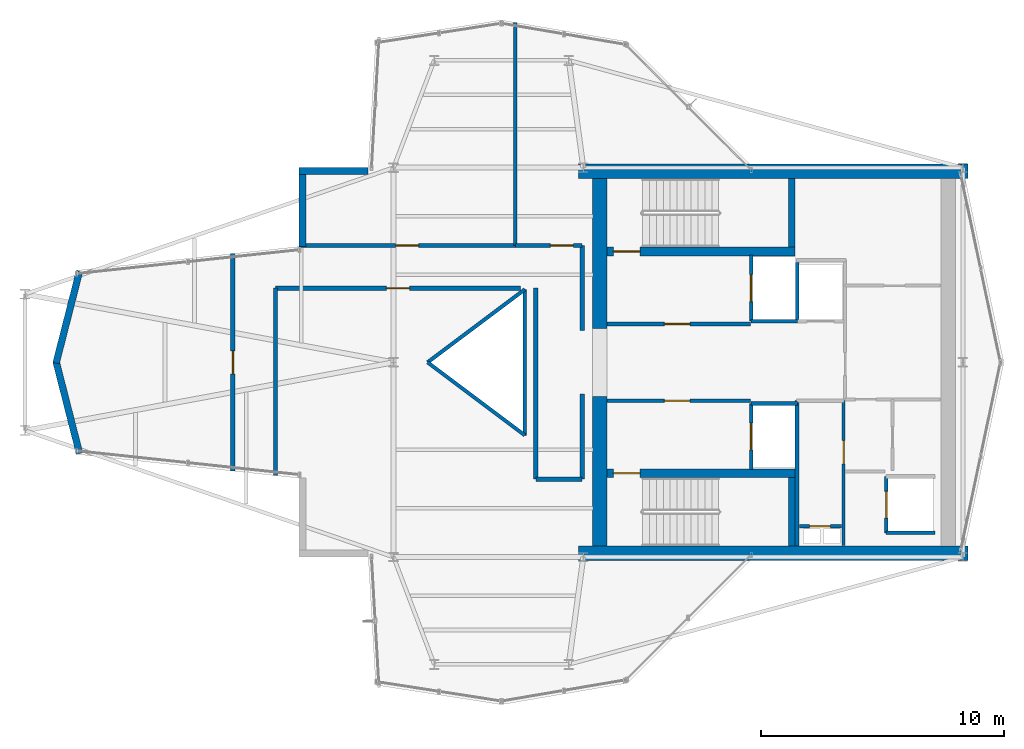
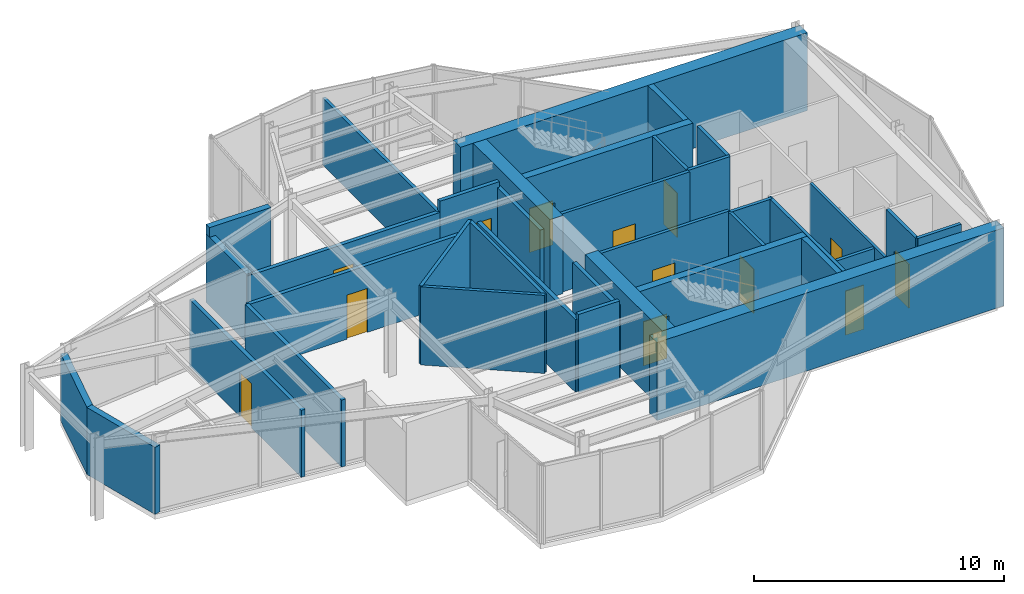
# One storey, part 11 of 13: 37 walls, 13 doors, 13 openings.
"""IFC4 building model written with IfcOpenShell, lengths in metres."""

from ifc_helpers import new_model, si_unit, direction, frame, frame_2d, origin, place, context, subcontext, project, spatial, rectangle, extrude, material, layer, layer_set, type_object, element, fill, save


model = new_model("IFC4")

# Units and contexts
model_context = context("Model", 3, precision=1e-05, world=origin(), true_north=direction((0.0, 1.0)))
body_context = subcontext(model_context, "Body", "Model", "MODEL_VIEW")
ifc_project = project(units=[si_unit("LENGTHUNIT", "METRE"), si_unit("AREAUNIT", "SQUARE_METRE"), si_unit("VOLUMEUNIT", "CUBIC_METRE"), si_unit("PLANEANGLEUNIT", "RADIAN"), si_unit("MASSUNIT", "GRAM", prefix="KILO")], contexts=[model_context])

# Site, building, storey
site_placement = place(None, origin())
site = spatial("IfcSite", under=ifc_project, at=site_placement, CompositionType="ELEMENT")
building_placement = place(site_placement, origin())
building = spatial("IfcBuilding", under=site, at=building_placement, Name="Veymaron Broadcast Tower", CompositionType="ELEMENT")
storey_placement = place(building_placement, frame((0.0, 0.0, 307.35009765625)))
storey = spatial("IfcBuildingStorey", under=building, at=storey_placement, Name="L72", CompositionType="ELEMENT", Elevation=307.35009765625)

# Walls
ifc_material_1 = material(Name="Precast concrete C40/50", Category="concrete")
ifc_layer_1 = layer(ifc_material_1, 0.280029296875)
ifc_layer_set_1 = layer_set([ifc_layer_1], Name="Precast concrete C40/50")
wall_type_1 = type_object("IfcWallType", Name="WALL-EXT-280", PredefinedType="STANDARD", material=ifc_layer_set_1)
wall_1_placement = place(storey_placement, frame((30.159912109375, 31.860107421875, 0.0), z_axis=(0.0, 0.0, 1.0), x_axis=(-1.0, 0.0, 0.0)))
element("IfcWall", 1, at=wall_1_placement, inside=storey, type_object=wall_type_1, Name="L72 notched corner facade pier 9-1", PredefinedType="STANDARD", context=body_context, shape_type="SweptSolid", body=[
    extrude(rectangle(XDim=2.84619140625, YDim=0.280029296875, at=frame_2d((1.423095703125, 0.0))), origin(), (0.0, 0.0, 1.0), 3.809814453125),
])
wall_2_placement = place(storey_placement, frame((27.45361328125, 32.0, 0.0), z_axis=(0.0, 0.0, 1.0), x_axis=(0.0, -1.0, 0.0)))
element("IfcWall", 2, at=wall_2_placement, inside=storey, type_object=wall_type_1, Name="L72 notched corner facade pier 10-1", PredefinedType="STANDARD", context=body_context, shape_type="SweptSolid", body=[
    extrude(rectangle(XDim=3.239990234375, YDim=0.280029296875, at=frame_2d((1.6201171875, 0.0))), origin(), (0.0, 0.0, 1.0), 3.3388671875),
])
for number, where, z_axis, x_axis, name in (
    (3, (18.295654296875, 27.74560546875, 0.0), (0.0, 0.0, 1.0), (-0.247303248327, -0.968938131857, 0.0), "L72 notched corner facade pier 12-1"),
    (4, (17.330810546875, 24.03466796875, 0.0), (0.0, 0.0, 1.0), (0.247303248327, -0.968938131857, 0.0), "L72 notched corner facade pier 13-1"),
):
    element("IfcWall", number, at=place(storey_placement, frame(where, z_axis=z_axis, x_axis=x_axis)), inside=storey, type_object=wall_type_1, Name=name, PredefinedType="STANDARD", context=body_context, shape_type="SweptSolid", body=[
        extrude(rectangle(XDim=3.9013671875, YDim=0.280029296875, at=frame_2d((1.95068359375, 0.0))), origin(), (0.0, 0.0, 1.0), 3.27001953125),
    ])

# Wall, opening, door
ifc_material_2 = material(Name="Gypsum fireboard and steel stud framing", Category="steel")
ifc_layer_2 = layer(ifc_material_2, 0.14990234375)
ifc_layer_set_2 = layer_set([ifc_layer_2], Name="Gypsum fireboard and steel stud framing")
wall_type_2 = type_object("IfcWallType", Name="WALL-FIRE-150", PredefinedType="PARTITIONING", material=ifc_layer_set_2)
wall_3_placement = place(storey_placement, frame((39.97998046875, 25.574951171875, 0.0), z_axis=(0.0, 0.0, 1.0), x_axis=(1.0, 0.0, 0.0)))
wall_3 = element("IfcWall", 5, at=wall_3_placement, inside=storey, type_object=wall_type_2, Name="L72 partition IW-L72-FFLN-S", PredefinedType="PARTITIONING", context=body_context, shape_type="SweptSolid", body=[
    extrude(rectangle(XDim=5.89990234375, YDim=0.14990234375, at=frame_2d((2.949951171875, 0.0))), origin(), (0.0, 0.0, 1.0), 3.809814453125),
])
opening_1_placement = place(wall_3_placement, frame((2.35009765625, 0.0, 0.0)))
opening_1 = element("IfcOpeningElement", 6, at=opening_1_placement, cuts=wall_3, Name="Opening ID-FL1", PredefinedType="OPENING", context=body_context, shape_type="SweptSolid", body=[
    extrude(rectangle(XDim=1.050048828125, YDim=2.14990234375, at=frame_2d((0.52490234375, 1.074951171875))), frame((0.0, 0.0849609375, 0.0), z_axis=(0.0, -1.0, 0.0), x_axis=(1.0, 0.0, 0.0)), (0.0, 0.0, 1.0), 0.169921875),
])
ifc_material_3 = material(Name="Fire-rated painted hollow steel ASTM A653", Category="steel")
door_type_1 = type_object("IfcDoorType", Name="DOOR-FIRE-1050", OperationType="NOTDEFINED", PredefinedType="DOOR", material=ifc_material_3)
door_1_placement = place(opening_1_placement, origin())
door_1 = element("IfcDoor", 7, at=door_1_placement, inside=storey, type_object=door_type_1, Name="L72 door DR-L72-FFLN", OperationType="SINGLE_SWING_LEFT", OverallHeight=2.14990234375, OverallWidth=1.050048828125, PredefinedType="DOOR", context=body_context, shape_type="SweptSolid", body=[
    extrude(rectangle(XDim=1.050048828125, YDim=2.14990234375, at=frame_2d((0.52490234375, 1.074951171875))), frame((0.0, 0.02490234375, 0.0), z_axis=(0.0, -1.0, 0.0), x_axis=(1.0, 0.0, 0.0)), (0.0, 0.0, 1.0), 0.050048828125),
])
fill(opening_1, door_1)

wall_4_placement = place(storey_placement, frame((39.97998046875, 22.425048828125, 0.0), z_axis=(0.0, 0.0, 1.0), x_axis=(1.0, 0.0, 0.0)))
wall_4 = element("IfcWall", 8, at=wall_4_placement, inside=storey, type_object=wall_type_2, Name="L72 partition IW-L72-FFLS-N", PredefinedType="PARTITIONING", context=body_context, shape_type="SweptSolid", body=[
    extrude(rectangle(XDim=5.89990234375, YDim=0.14990234375, at=frame_2d((2.949951171875, 0.0))), origin(), (0.0, 0.0, 1.0), 3.809814453125),
])
opening_2_placement = place(wall_4_placement, frame((2.35009765625, 0.0, 0.0)))
opening_2 = element("IfcOpeningElement", 9, at=opening_2_placement, cuts=wall_4, Name="Opening ID-FL1", PredefinedType="OPENING", context=body_context, shape_type="SweptSolid", body=[
    extrude(rectangle(XDim=1.050048828125, YDim=2.14990234375, at=frame_2d((0.52490234375, 1.074951171875))), frame((0.0, 0.0849609375, 0.0), z_axis=(0.0, -1.0, 0.0), x_axis=(1.0, 0.0, 0.0)), (0.0, 0.0, 1.0), 0.169921875),
])
door_2_placement = place(opening_2_placement, frame((1.050048828125, 0.0, 0.0), z_axis=(0.0, 0.0, 1.0), x_axis=(-1.0, 0.0, 0.0)))
door_2 = element("IfcDoor", 10, at=door_2_placement, inside=storey, type_object=door_type_1, Name="L72 door DR-L72-FFLS", OperationType="SINGLE_SWING_RIGHT", OverallHeight=2.14990234375, OverallWidth=1.050048828125, PredefinedType="DOOR", context=body_context, shape_type="SweptSolid", body=[
    extrude(rectangle(XDim=1.050048828125, YDim=2.14990234375, at=frame_2d((0.52490234375, 1.074951171875))), frame((0.0, 0.02490234375, 0.0), z_axis=(0.0, -1.0, 0.0), x_axis=(1.0, 0.0, 0.0)), (0.0, 0.0, 1.0), 0.050048828125),
])
fill(opening_2, door_2)

wall_5_placement = place(storey_placement, frame((45.89501953125, 25.68994140625, 0.0), z_axis=(0.0, 0.0, 1.0), x_axis=(0.0, 1.0, 0.0)))
wall_5 = element("IfcWall", 11, at=wall_5_placement, inside=storey, type_object=wall_type_2, Name="L72 partition IW-L72-SHW-FFL-1", PredefinedType="PARTITIONING", context=body_context, shape_type="SweptSolid", body=[
    extrude(rectangle(XDim=2.719970703125, YDim=0.14990234375, at=frame_2d((1.35986328125, 0.0))), origin(), (0.0, 0.0, 1.0), 3.809814453125),
])
opening_3_placement = place(wall_5_placement, frame((0.81005859375, 0.0, 0.0)))
opening_3 = element("IfcOpeningElement", 12, at=opening_3_placement, cuts=wall_5, Name="Opening LD", PredefinedType="OPENING", context=body_context, shape_type="SweptSolid", body=[
    extrude(rectangle(XDim=1.10009765625, YDim=2.14990234375, at=frame_2d((0.550048828125, 1.074951171875))), frame((0.0, 0.0849609375, 0.0), z_axis=(0.0, -1.0, 0.0), x_axis=(1.0, 0.0, 0.0)), (0.0, 0.0, 1.0), 0.169921875),
])
ifc_material_4 = material(Name="Brushed stainless steel AISI 304", Category="steel")
door_type_2 = type_object("IfcDoorType", Name="DOOR-LIFT-1100", OperationType="DOUBLE_DOOR_SLIDING", PredefinedType="DOOR", material=ifc_material_4)
door_3_placement = place(opening_3_placement, frame((1.10009765625, 0.0, 0.0), z_axis=(0.0, 0.0, 1.0), x_axis=(-1.0, 0.0, 0.0)))
door_3 = element("IfcDoor", 13, at=door_3_placement, inside=storey, type_object=door_type_2, Name="L72 door LD-L72-FFL-1", OperationType="DOUBLE_DOOR_SLIDING", OverallHeight=2.14990234375, OverallWidth=1.10009765625, PredefinedType="DOOR", context=body_context, shape_type="SweptSolid", body=[
    extrude(rectangle(XDim=1.10009765625, YDim=2.14990234375, at=frame_2d((0.550048828125, 1.074951171875))), frame((0.0, 0.02490234375, 0.0), z_axis=(0.0, -1.0, 0.0), x_axis=(1.0, 0.0, 0.0)), (0.0, 0.0, 1.0), 0.050048828125),
])
fill(opening_3, door_3)

# Wall
wall_6_placement = place(storey_placement, frame((45.89501953125, 25.68994140625, 0.0), z_axis=(0.0, 0.0, 1.0), x_axis=(1.0, 0.0, 0.0)))
element("IfcWall", 14, at=wall_6_placement, inside=storey, type_object=wall_type_2, Name="L72 partition IW-L72-SHS-FFL-1", PredefinedType="PARTITIONING", context=body_context, shape_type="SweptSolid", body=[
    extrude(rectangle(XDim=1.9150390625, YDim=0.14990234375, at=frame_2d((0.95751953125, 0.0))), origin(), (0.0, 0.0, 1.0), 3.809814453125),
])

# Wall, opening, door
wall_7_placement = place(storey_placement, frame((45.89501953125, 19.590087890625, 0.0), z_axis=(0.0, 0.0, 1.0), x_axis=(0.0, 1.0, 0.0)))
wall_7 = element("IfcWall", 15, at=wall_7_placement, inside=storey, type_object=wall_type_2, Name="L72 partition IW-L72-SHW-FFL-2", PredefinedType="PARTITIONING", context=body_context, shape_type="SweptSolid", body=[
    extrude(rectangle(XDim=2.719970703125, YDim=0.14990234375, at=frame_2d((1.35986328125, 0.0))), origin(), (0.0, 0.0, 1.0), 3.809814453125),
])
opening_4_placement = place(wall_7_placement, frame((0.81005859375, 0.0, 0.0)))
opening_4 = element("IfcOpeningElement", 16, at=opening_4_placement, cuts=wall_7, Name="Opening LD", PredefinedType="OPENING", context=body_context, shape_type="SweptSolid", body=[
    extrude(rectangle(XDim=1.10009765625, YDim=2.14990234375, at=frame_2d((0.550048828125, 1.074951171875))), frame((0.0, 0.0849609375, 0.0), z_axis=(0.0, -1.0, 0.0), x_axis=(1.0, 0.0, 0.0)), (0.0, 0.0, 1.0), 0.169921875),
])
door_4_placement = place(opening_4_placement, frame((1.10009765625, 0.0, 0.0), z_axis=(0.0, 0.0, 1.0), x_axis=(-1.0, 0.0, 0.0)))
door_4 = element("IfcDoor", 17, at=door_4_placement, inside=storey, type_object=door_type_2, Name="L72 door LD-L72-FFL-2", OperationType="DOUBLE_DOOR_SLIDING", OverallHeight=2.14990234375, OverallWidth=1.10009765625, PredefinedType="DOOR", context=body_context, shape_type="SweptSolid", body=[
    extrude(rectangle(XDim=1.10009765625, YDim=2.14990234375, at=frame_2d((0.550048828125, 1.074951171875))), frame((0.0, 0.02490234375, 0.0), z_axis=(0.0, -1.0, 0.0), x_axis=(1.0, 0.0, 0.0)), (0.0, 0.0, 1.0), 0.050048828125),
])
fill(opening_4, door_4)

# Walls
wall_8_placement = place(storey_placement, frame((45.89501953125, 22.31005859375, 0.0), z_axis=(0.0, 0.0, 1.0), x_axis=(1.0, 0.0, 0.0)))
element("IfcWall", 18, at=wall_8_placement, inside=storey, type_object=wall_type_2, Name="L72 partition IW-L72-SHN-FFL-2", PredefinedType="PARTITIONING", context=body_context, shape_type="SweptSolid", body=[
    extrude(rectangle(XDim=1.9150390625, YDim=0.14990234375, at=frame_2d((0.95751953125, 0.0))), origin(), (0.0, 0.0, 1.0), 3.809814453125),
])
wall_9_placement = place(storey_placement, frame((47.7900390625, 25.695068359375, 0.0), z_axis=(0.0, 0.0, 1.0), x_axis=(0.0, 1.0, 0.0)))
element("IfcWall", 19, at=wall_9_placement, inside=storey, type_object=wall_type_2, Name="L72 partition IW-L72-SHW-SL-1", PredefinedType="PARTITIONING", context=body_context, shape_type="SweptSolid", body=[
    extrude(rectangle(XDim=2.4150390625, YDim=0.14990234375, at=frame_2d((1.20751953125, 0.0))), origin(), (0.0, 0.0, 1.0), 3.809814453125),
])

# Wall, opening, door
wall_10_placement = place(storey_placement, frame((51.445068359375, 16.989990234375, 0.0), z_axis=(0.0, 0.0, 1.0), x_axis=(0.0, 1.0, 0.0)))
wall_10 = element("IfcWall", 20, at=wall_10_placement, inside=storey, type_object=wall_type_2, Name="L72 partition IW-L72-SHW-PH1", PredefinedType="PARTITIONING", context=body_context, shape_type="SweptSolid", body=[
    extrude(rectangle(XDim=2.320068359375, YDim=0.14990234375, at=frame_2d((1.16015625, 0.0))), origin(), (0.0, 0.0, 1.0), 3.809814453125),
])
opening_5_placement = place(wall_10_placement, frame((0.610107421875, 0.0, 0.0)))
opening_5 = element("IfcOpeningElement", 21, at=opening_5_placement, cuts=wall_10, Name="Opening LD", PredefinedType="OPENING", context=body_context, shape_type="SweptSolid", body=[
    extrude(rectangle(XDim=1.10009765625, YDim=2.14990234375, at=frame_2d((0.550048828125, 1.074951171875))), frame((0.0, 0.0849609375, 0.0), z_axis=(0.0, -1.0, 0.0), x_axis=(1.0, 0.0, 0.0)), (0.0, 0.0, 1.0), 0.169921875),
])
door_5_placement = place(opening_5_placement, frame((1.10009765625, 0.0, 0.0), z_axis=(0.0, 0.0, 1.0), x_axis=(-1.0, 0.0, 0.0)))
door_5 = element("IfcDoor", 22, at=door_5_placement, inside=storey, type_object=door_type_2, Name="L72 door LD-L72-PH1", OperationType="DOUBLE_DOOR_SLIDING", OverallHeight=2.14990234375, OverallWidth=1.10009765625, PredefinedType="DOOR", context=body_context, shape_type="SweptSolid", body=[
    extrude(rectangle(XDim=1.10009765625, YDim=2.14990234375, at=frame_2d((0.550048828125, 1.074951171875))), frame((0.0, 0.02490234375, 0.0), z_axis=(0.0, -1.0, 0.0), x_axis=(1.0, 0.0, 0.0)), (0.0, 0.0, 1.0), 0.050048828125),
])
fill(opening_5, door_5)

# Wall
wall_11_placement = place(storey_placement, frame((51.445068359375, 16.989990234375, 0.0), z_axis=(0.0, 0.0, 1.0), x_axis=(1.0, 0.0, 0.0)))
element("IfcWall", 23, at=wall_11_placement, inside=storey, type_object=wall_type_2, Name="L72 partition IW-L72-SHS-PH1", PredefinedType="PARTITIONING", context=body_context, shape_type="SweptSolid", body=[
    extrude(rectangle(XDim=2.014892578125, YDim=0.14990234375, at=frame_2d((1.00732421875, 0.0))), origin(), (0.0, 0.0, 1.0), 3.809814453125),
])

# Wall, opening, door
wall_12_placement = place(storey_placement, frame((47.8798828125, 17.260009765625, 0.0), z_axis=(0.0, 0.0, 1.0), x_axis=(1.0, 0.0, 0.0)))
wall_12 = element("IfcWall", 24, at=wall_12_placement, inside=storey, type_object=wall_type_2, Name="L72 partition IW-L72-RIS-N", PredefinedType="PARTITIONING", context=body_context, shape_type="SweptSolid", body=[
    extrude(rectangle(XDim=1.72021484375, YDim=0.14990234375, at=frame_2d((0.860107421875, 0.0))), origin(), (0.0, 0.0, 1.0), 3.809814453125),
])
opening_6_placement = place(wall_12_placement, frame((0.419921875, 0.0, 0.0)))
opening_6 = element("IfcOpeningElement", 25, at=opening_6_placement, cuts=wall_12, Name="Opening ID-RS1", PredefinedType="OPENING", context=body_context, shape_type="SweptSolid", body=[
    extrude(rectangle(XDim=0.85009765625, YDim=2.14990234375, at=frame_2d((0.425048828125, 1.074951171875))), frame((0.0, 0.0849609375, 0.0), z_axis=(0.0, -1.0, 0.0), x_axis=(1.0, 0.0, 0.0)), (0.0, 0.0, 1.0), 0.169921875),
])
ifc_material_5 = material(Name="Fire-rated powder-coated steel riser leaf", Category="steel")
door_type_3 = type_object("IfcDoorType", Name="DOOR-RIS-850", OperationType="NOTDEFINED", PredefinedType="TRAPDOOR", material=ifc_material_5)
door_6_placement = place(opening_6_placement, origin())
door_6 = element("IfcDoor", 26, at=door_6_placement, inside=storey, type_object=door_type_3, Name="L72 door DR-L72-RIS", OperationType="SINGLE_SWING_LEFT", OverallHeight=2.14990234375, OverallWidth=0.85009765625, PredefinedType="TRAPDOOR", context=body_context, shape_type="SweptSolid", body=[
    extrude(rectangle(XDim=0.85009765625, YDim=2.14990234375, at=frame_2d((0.425048828125, 1.074951171875))), frame((0.0, 0.02490234375, 0.0), z_axis=(0.0, -1.0, 0.0), x_axis=(1.0, 0.0, 0.0)), (0.0, 0.0, 1.0), 0.050048828125),
])
fill(opening_6, door_6)

# Wall
wall_13_placement = place(storey_placement, frame((47.780029296875, 16.449951171875, 0.0), z_axis=(0.0, 0.0, 1.0), x_axis=(0.0, 1.0, 0.0)))
element("IfcWall", 27, at=wall_13_placement, inside=storey, type_object=wall_type_2, Name="L72 partition IW-L72-SM-W", PredefinedType="PARTITIONING", context=body_context, shape_type="SweptSolid", body=[
    extrude(rectangle(XDim=5.97509765625, YDim=0.14990234375, at=frame_2d((2.987548828125, 0.0))), origin(), (0.0, 0.0, 1.0), 3.809814453125),
])

# Wall, opening, door
ifc_material_6 = material(Name="Concrete C40/50", Category="concrete")
ifc_layer_3 = layer(ifc_material_6, 0.179931640625)
ifc_layer_set_3 = layer_set([ifc_layer_3], Name="Concrete C40/50")
wall_type_3 = type_object("IfcWallType", Name="WALL-FIRE-180", PredefinedType="SOLIDWALL", material=ifc_layer_set_3)
wall_14_placement = place(storey_placement, frame((26.35009765625, 27.050048828125, 0.0), z_axis=(0.0, 0.0, 1.0), x_axis=(1.0, 0.0, 0.0)))
wall_14 = element("IfcWall", 28, at=wall_14_placement, inside=storey, type_object=wall_type_3, Name="L72 partition IW-L72-P01", PredefinedType="SOLIDWALL", context=body_context, shape_type="SweptSolid", body=[
    extrude(rectangle(XDim=10.066650390625, YDim=0.179931640625, at=frame_2d((5.033203125, 0.0))), origin(), (0.0, 0.0, 1.0), 3.27001953125),
])
opening_7_placement = place(wall_14_placement, frame((4.558349609375, 0.0, 0.0)))
opening_7 = element("IfcOpeningElement", 29, at=opening_7_placement, cuts=wall_14, Name="Opening ID-RM1", PredefinedType="OPENING", context=body_context, shape_type="SweptSolid", body=[
    extrude(rectangle(XDim=0.949951171875, YDim=2.14990234375, at=frame_2d((0.47509765625, 1.074951171875))), frame((0.0, 0.10009765625, 0.0), z_axis=(0.0, -1.0, 0.0), x_axis=(1.0, 0.0, 0.0)), (0.0, 0.0, 1.0), 0.199951171875),
])
ifc_material_7 = material(Name="Acoustic solid-core European oak veneer timber", Category="wood")
door_type_4 = type_object("IfcDoorType", Name="DOOR-INT-950", OperationType="NOTDEFINED", PredefinedType="DOOR", material=ifc_material_7)
door_7_placement = place(opening_7_placement, frame((0.949951171875, 0.0, 0.0), z_axis=(0.0, 0.0, 1.0), x_axis=(-1.0, 0.0, 0.0)))
door_7 = element("IfcDoor", 30, at=door_7_placement, inside=storey, type_object=door_type_4, Name="L72 door DR-L72-P01", OperationType="SINGLE_SWING_RIGHT", OverallHeight=2.14990234375, OverallWidth=0.949951171875, PredefinedType="DOOR", context=body_context, shape_type="SweptSolid", body=[
    extrude(rectangle(XDim=0.949951171875, YDim=2.14990234375, at=frame_2d((0.47509765625, 1.074951171875))), frame((0.0, 0.02490234375, 0.0), z_axis=(0.0, -1.0, 0.0), x_axis=(1.0, 0.0, 0.0)), (0.0, 0.0, 1.0), 0.050048828125),
])
fill(opening_7, door_7)

wall_15_placement = place(storey_placement, frame((24.60009765625, 19.530517578125, 0.0), z_axis=(0.0, 0.0, 1.0), x_axis=(0.0, 1.0, 0.0)))
wall_15 = element("IfcWall", 31, at=wall_15_placement, inside=storey, type_object=wall_type_3, Name="L72 partition IW-L72-P06", PredefinedType="SOLIDWALL", context=body_context, shape_type="SweptSolid", body=[
    extrude(rectangle(XDim=8.93896484375, YDim=0.179931640625, at=frame_2d((4.469482421875, 0.0))), origin(), (0.0, 0.0, 1.0), 3.27001953125),
])
opening_8_placement = place(wall_15_placement, frame((3.994384765625, 0.0, 0.0)))
opening_8 = element("IfcOpeningElement", 32, at=opening_8_placement, cuts=wall_15, Name="Opening ID-RM1", PredefinedType="OPENING", context=body_context, shape_type="SweptSolid", body=[
    extrude(rectangle(XDim=0.949951171875, YDim=2.14990234375, at=frame_2d((0.47509765625, 1.074951171875))), frame((0.0, 0.10009765625, 0.0), z_axis=(0.0, -1.0, 0.0), x_axis=(1.0, 0.0, 0.0)), (0.0, 0.0, 1.0), 0.199951171875),
])
door_8_placement = place(opening_8_placement, origin())
door_8 = element("IfcDoor", 33, at=door_8_placement, inside=storey, type_object=door_type_4, Name="L72 door DR-L72-P06", OperationType="SINGLE_SWING_LEFT", OverallHeight=2.14990234375, OverallWidth=0.949951171875, PredefinedType="DOOR", context=body_context, shape_type="SweptSolid", body=[
    extrude(rectangle(XDim=0.949951171875, YDim=2.14990234375, at=frame_2d((0.47509765625, 1.074951171875))), frame((0.0, 0.02490234375, 0.0), z_axis=(0.0, -1.0, 0.0), x_axis=(1.0, 0.0, 0.0)), (0.0, 0.0, 1.0), 0.050048828125),
])
fill(opening_8, door_8)

wall_16_placement = place(storey_placement, frame((27.313720703125, 28.800048828125, 0.0), z_axis=(0.0, 0.0, 1.0), x_axis=(1.0, 0.0, 0.0)))
wall_16 = element("IfcWall", 34, at=wall_16_placement, inside=storey, type_object=wall_type_3, Name="L72 partition IW-L72-P07", PredefinedType="SOLIDWALL", context=body_context, shape_type="SweptSolid", body=[
    extrude(rectangle(XDim=8.892333984375, YDim=0.179931640625, at=frame_2d((4.4462890625, 0.0))), origin(), (0.0, 0.0, 1.0), 3.27001953125),
])
opening_9_placement = place(wall_16_placement, frame((3.97119140625, 0.0, 0.0)))
opening_9 = element("IfcOpeningElement", 35, at=opening_9_placement, cuts=wall_16, Name="Opening ID-RM1", PredefinedType="OPENING", context=body_context, shape_type="SweptSolid", body=[
    extrude(rectangle(XDim=0.949951171875, YDim=2.14990234375, at=frame_2d((0.47509765625, 1.074951171875))), frame((0.0, 0.10009765625, 0.0), z_axis=(0.0, -1.0, 0.0), x_axis=(1.0, 0.0, 0.0)), (0.0, 0.0, 1.0), 0.199951171875),
])
door_9_placement = place(opening_9_placement, origin())
door_9 = element("IfcDoor", 36, at=door_9_placement, inside=storey, type_object=door_type_4, Name="L72 door DR-L72-P07", OperationType="SINGLE_SWING_RIGHT", OverallHeight=2.14990234375, OverallWidth=0.949951171875, PredefinedType="DOOR", context=body_context, shape_type="SweptSolid", body=[
    extrude(rectangle(XDim=0.949951171875, YDim=2.14990234375, at=frame_2d((0.47509765625, 1.074951171875))), frame((0.0, 0.02490234375, 0.0), z_axis=(0.0, -1.0, 0.0), x_axis=(1.0, 0.0, 0.0)), (0.0, 0.0, 1.0), 0.050048828125),
])
fill(opening_9, door_9)

wall_17_placement = place(storey_placement, frame((36.2060546875, 28.800048828125, 0.0), z_axis=(0.0, 0.0, 1.0), x_axis=(1.0, 0.0, 0.0)))
wall_17 = element("IfcWall", 37, at=wall_17_placement, inside=storey, type_object=wall_type_3, Name="L72 partition IW-L72-P09", PredefinedType="SOLIDWALL", context=body_context, shape_type="SweptSolid", body=[
    extrude(rectangle(XDim=2.743896484375, YDim=0.179931640625, at=frame_2d((1.3720703125, 0.0))), origin(), (0.0, 0.0, 1.0), 3.809814453125),
])
opening_10_placement = place(wall_17_placement, frame((1.43701171875, 0.0, 0.0)))
opening_10 = element("IfcOpeningElement", 38, at=opening_10_placement, cuts=wall_17, Name="Opening ID-RM1", PredefinedType="OPENING", context=body_context, shape_type="SweptSolid", body=[
    extrude(rectangle(XDim=0.949951171875, YDim=2.14990234375, at=frame_2d((0.47509765625, 1.074951171875))), frame((0.0, 0.10009765625, 0.0), z_axis=(0.0, -1.0, 0.0), x_axis=(1.0, 0.0, 0.0)), (0.0, 0.0, 1.0), 0.199951171875),
])
door_10_placement = place(opening_10_placement, origin())
door_10 = element("IfcDoor", 39, at=door_10_placement, inside=storey, type_object=door_type_4, Name="L72 door DR-L72-P09", OperationType="SINGLE_SWING_RIGHT", OverallHeight=2.14990234375, OverallWidth=0.949951171875, PredefinedType="DOOR", context=body_context, shape_type="SweptSolid", body=[
    extrude(rectangle(XDim=0.949951171875, YDim=2.14990234375, at=frame_2d((0.47509765625, 1.074951171875))), frame((0.0, 0.02490234375, 0.0), z_axis=(0.0, -1.0, 0.0), x_axis=(1.0, 0.0, 0.0)), (0.0, 0.0, 1.0), 0.050048828125),
])
fill(opening_10, door_10)

# Walls
wall_18_placement = place(storey_placement, frame((37.050048828125, 19.199951171875, 0.0), z_axis=(0.0, 0.0, 1.0), x_axis=(0.0, 1.0, 0.0)))
element("IfcWall", 40, at=wall_18_placement, inside=storey, type_object=wall_type_3, Name="L72 partition IW-L72-P02", PredefinedType="SOLIDWALL", context=body_context, shape_type="SweptSolid", body=[
    extrude(rectangle(XDim=7.85009765625, YDim=0.179931640625, at=frame_2d((3.925048828125, 0.0))), origin(), (0.0, 0.0, 1.0), 3.539794921875),
])
wall_19_placement = place(storey_placement, frame((26.35009765625, 19.34326171875, 0.0), z_axis=(0.0, 0.0, 1.0), x_axis=(0.0, 1.0, 0.0)))
element("IfcWall", 41, at=wall_19_placement, inside=storey, type_object=wall_type_3, Name="L72 partition IW-L72-P03", PredefinedType="SOLIDWALL", context=body_context, shape_type="SweptSolid", body=[
    extrude(rectangle(XDim=7.706787109375, YDim=0.179931640625, at=frame_2d((3.853515625, 0.0))), origin(), (0.0, 0.0, 1.0), 3.27001953125),
])
wall_20_placement = place(storey_placement, frame((38.949951171875, 19.199951171875, 0.0), z_axis=(0.0, 0.0, 1.0), x_axis=(0.0, 1.0, 0.0)))
element("IfcWall", 42, at=wall_20_placement, inside=storey, type_object=wall_type_3, Name="L72 partition IW-L72-P04", PredefinedType="SOLIDWALL", context=body_context, shape_type="SweptSolid", body=[
    extrude(rectangle(XDim=3.5, YDim=0.179931640625, at=frame_2d((1.75, 0.0))), origin(), (0.0, 0.0, 1.0), 3.539794921875),
])
wall_21_placement = place(storey_placement, frame((37.050048828125, 19.199951171875, 0.0), z_axis=(0.0, 0.0, 1.0), x_axis=(1.0, 0.0, 0.0)))
element("IfcWall", 43, at=wall_21_placement, inside=storey, type_object=wall_type_3, Name="L72 partition IW-L72-P05", PredefinedType="SOLIDWALL", context=body_context, shape_type="SweptSolid", body=[
    extrude(rectangle(XDim=1.89990234375, YDim=0.179931640625, at=frame_2d((0.949951171875, 0.0))), origin(), (0.0, 0.0, 1.0), 3.809814453125),
])
wall_22_placement = place(storey_placement, frame((38.949951171875, 25.300048828125, 0.0), z_axis=(0.0, 0.0, 1.0), x_axis=(0.0, 1.0, 0.0)))
element("IfcWall", 44, at=wall_22_placement, inside=storey, type_object=wall_type_3, Name="L72 partition IW-L72-P08", PredefinedType="SOLIDWALL", context=body_context, shape_type="SweptSolid", body=[
    extrude(rectangle(XDim=3.5, YDim=0.179931640625, at=frame_2d((1.75, 0.0))), origin(), (0.0, 0.0, 1.0), 3.539794921875),
])
ifc_material_8 = material(Name="Fire-rated laminated glass in aluminium frame", Category="aluminium")
ifc_layer_4 = layer(ifc_material_8, 0.14990234375)
ifc_layer_set_4 = layer_set([ifc_layer_4], Name="Fire-rated laminated glass in aluminium frame")
wall_type_4 = type_object("IfcWallType", Name="WALL-GLZ-150", PredefinedType="MOVABLE", material=ifc_layer_set_4)
wall_23_placement = place(storey_placement, frame((36.2060546875, 28.800048828125, 0.0), z_axis=(0.0, 0.0, 1.0), x_axis=(0.0, 1.0, 0.0)))
element("IfcWall", 45, at=wall_23_placement, inside=storey, type_object=wall_type_4, Name="L72 partition IW-L72-P10", PredefinedType="MOVABLE", context=body_context, shape_type="SweptSolid", body=[
    extrude(rectangle(XDim=9.171875, YDim=0.14990234375, at=frame_2d((4.5859375, 0.0))), origin(), (0.0, 0.0, 1.0), 3.27001953125),
])
wall_24_placement = place(storey_placement, frame((32.60009765625, 24.0, 0.0), z_axis=(0.0, 0.0, 1.0), x_axis=(0.8, -0.6, 0.0)))
element("IfcWall", 46, at=wall_24_placement, inside=storey, type_object=wall_type_4, Name="L72 partition IW-L72-ATR1", PredefinedType="MOVABLE", context=body_context, shape_type="SweptSolid", body=[
    extrude(rectangle(XDim=5.0, YDim=0.14990234375, at=frame_2d((2.5, 0.0))), origin(), (0.0, 0.0, 1.0), 3.809814453125),
])
wall_25_placement = place(storey_placement, frame((36.60009765625, 21.0, 0.0), z_axis=(0.0, 0.0, 1.0), x_axis=(0.0, 1.0, 0.0)))
element("IfcWall", 47, at=wall_25_placement, inside=storey, type_object=wall_type_4, Name="L72 partition IW-L72-ATR2", PredefinedType="MOVABLE", context=body_context, shape_type="SweptSolid", body=[
    extrude(rectangle(XDim=6.0, YDim=0.14990234375, at=frame_2d((3.0, 0.0))), origin(), (0.0, 0.0, 1.0), 3.809814453125),
])
wall_26_placement = place(storey_placement, frame((36.60009765625, 27.0, 0.0), z_axis=(0.0, 0.0, 1.0), x_axis=(-0.8, -0.6, 0.0)))
element("IfcWall", 48, at=wall_26_placement, inside=storey, type_object=wall_type_4, Name="L72 partition IW-L72-ATR3", PredefinedType="MOVABLE", context=body_context, shape_type="SweptSolid", body=[
    extrude(rectangle(XDim=5.0, YDim=0.14990234375, at=frame_2d((2.5, 0.0))), origin(), (0.0, 0.0, 1.0), 3.809814453125),
])

# Wall, opening, door
ifc_material_9 = material(Name="Acoustic gypsum board and galvanized stud", Category="gypsum")
ifc_layer_5 = layer(ifc_material_9, 0.1201171875)
ifc_layer_set_5 = layer_set([ifc_layer_5], Name="Acoustic gypsum board and galvanized stud")
wall_type_5 = type_object("IfcWallType", Name="WALL-PART-120", PredefinedType="PARTITIONING", material=ifc_layer_set_5)
wall_27_placement = place(storey_placement, frame((49.699951171875, 16.47998046875, 0.0), z_axis=(0.0, 0.0, 1.0), x_axis=(0.0, 1.0, 0.0)))
wall_27 = element("IfcWall", 49, at=wall_27_placement, inside=storey, type_object=wall_type_5, Name="L72 partition IW-L72-SM-E", PredefinedType="PARTITIONING", context=body_context, shape_type="SweptSolid", body=[
    extrude(rectangle(XDim=5.945068359375, YDim=0.1201171875, at=frame_2d((2.97265625, 0.0))), origin(), (0.0, 0.0, 1.0), 3.809814453125),
])
opening_11_placement = place(wall_27_placement, frame((3.35009765625, 0.0, 0.0)))
opening_11 = element("IfcOpeningElement", 50, at=opening_11_placement, cuts=wall_27, Name="Opening ID-RM1", PredefinedType="OPENING", context=body_context, shape_type="SweptSolid", body=[
    extrude(rectangle(XDim=0.949951171875, YDim=2.14990234375, at=frame_2d((0.47509765625, 1.074951171875))), frame((0.0, 0.070068359375, 0.0), z_axis=(0.0, -1.0, 0.0), x_axis=(1.0, 0.0, 0.0)), (0.0, 0.0, 1.0), 0.14013671875),
])
door_11_placement = place(opening_11_placement, frame((0.949951171875, 0.0, 0.0), z_axis=(0.0, 0.0, 1.0), x_axis=(-1.0, 0.0, 0.0)))
door_11 = element("IfcDoor", 51, at=door_11_placement, inside=storey, type_object=door_type_4, Name="L72 door DR-L72-AWC", OperationType="SINGLE_SWING_LEFT", OverallHeight=2.14990234375, OverallWidth=0.949951171875, PredefinedType="DOOR", context=body_context, shape_type="SweptSolid", body=[
    extrude(rectangle(XDim=0.949951171875, YDim=2.14990234375, at=frame_2d((0.47509765625, 1.074951171875))), frame((0.0, 0.02490234375, 0.0), z_axis=(0.0, -1.0, 0.0), x_axis=(1.0, 0.0, 0.0)), (0.0, 0.0, 1.0), 0.050048828125),
])
fill(opening_11, door_11)

# Walls
ifc_material_10 = material(Name="Concrete C50/60", Category="concrete")
ifc_layer_6 = layer(ifc_material_10, 0.25)
ifc_layer_set_6 = layer_set([ifc_layer_6], Name="Concrete C50/60")
wall_type_6 = type_object("IfcWallType", Name="WALL-SHEAR-250", PredefinedType="SHEAR", material=ifc_layer_set_6)
for number, where, z_axis, x_axis, name in (
    (52, (47.56494140625, 28.72998046875, 0.0), (0.0, 0.0, 1.0), (0.0, 1.0, 0.0), "L72 Core Wall north stair east shear"),
    (53, (47.56494140625, 16.449951171875, 0.0), (0.0, 0.0, 1.0), (0.0, 1.0, 0.0), "L72 Core Wall south stair east shear"),
):
    element("IfcWall", number, at=place(storey_placement, frame(where, z_axis=z_axis, x_axis=x_axis)), inside=storey, type_object=wall_type_6, Name=name, PredefinedType="SHEAR", context=body_context, shape_type="SweptSolid", body=[
        extrude(rectangle(XDim=2.820068359375, YDim=0.25, at=frame_2d((1.41015625, 0.0))), origin(), (0.0, 0.0, 1.0), 3.809814453125),
    ])

# Wall, opening, door
ifc_layer_7 = layer(ifc_material_10, 0.35009765625)
ifc_layer_set_7 = layer_set([ifc_layer_7], Name="Concrete C50/60")
wall_type_7 = type_object("IfcWallType", Name="WALL-SHEAR-350", PredefinedType="SHEAR", material=ifc_layer_set_7)
wall_28_placement = place(storey_placement, frame((39.97998046875, 28.554931640625, 0.0), z_axis=(0.0, 0.0, 1.0), x_axis=(1.0, 0.0, 0.0)))
wall_28 = element("IfcWall", 54, at=wall_28_placement, inside=storey, type_object=wall_type_7, Name="L72 Core Wall north stair spine", PredefinedType="SHEAR", context=body_context, shape_type="SweptSolid", body=[
    extrude(rectangle(XDim=7.7099609375, YDim=0.35009765625, at=frame_2d((3.85498046875, 0.0))), origin(), (0.0, 0.0, 1.0), 3.809814453125),
])
opening_12_placement = place(wall_28_placement, frame((0.25, 0.0, 0.0)))
opening_12 = element("IfcOpeningElement", 55, at=opening_12_placement, cuts=wall_28, Name="Opening ID-ST1", PredefinedType="OPENING", context=body_context, shape_type="SweptSolid", body=[
    extrude(rectangle(XDim=1.10009765625, YDim=2.14990234375, at=frame_2d((0.550048828125, 1.074951171875))), frame((0.0, 0.18505859375, 0.0), z_axis=(0.0, -1.0, 0.0), x_axis=(1.0, 0.0, 0.0)), (0.0, 0.0, 1.0), 0.3701171875),
])
door_type_5 = type_object("IfcDoorType", Name="DOOR-STAIR-1100", OperationType="NOTDEFINED", PredefinedType="DOOR", material=ifc_material_3)
door_12_placement = place(opening_12_placement, origin())
door_12 = element("IfcDoor", 56, at=door_12_placement, inside=storey, type_object=door_type_5, Name="L72 exit stair ST1 fire door", OperationType="SINGLE_SWING_LEFT", OverallHeight=2.14990234375, OverallWidth=1.10009765625, PredefinedType="DOOR", context=body_context, shape_type="SweptSolid", body=[
    extrude(rectangle(XDim=1.10009765625, YDim=2.14990234375, at=frame_2d((0.550048828125, 1.074951171875))), frame((0.0, 0.02490234375, 0.0), z_axis=(0.0, -1.0, 0.0), x_axis=(1.0, 0.0, 0.0)), (0.0, 0.0, 1.0), 0.050048828125),
])
fill(opening_12, door_12)

wall_29_placement = place(storey_placement, frame((39.97998046875, 19.445068359375, 0.0), z_axis=(0.0, 0.0, 1.0), x_axis=(1.0, 0.0, 0.0)))
wall_29 = element("IfcWall", 57, at=wall_29_placement, inside=storey, type_object=wall_type_7, Name="L72 Core Wall south stair spine", PredefinedType="SHEAR", context=body_context, shape_type="SweptSolid", body=[
    extrude(rectangle(XDim=7.7099609375, YDim=0.35009765625, at=frame_2d((3.85498046875, 0.0))), origin(), (0.0, 0.0, 1.0), 3.809814453125),
])
opening_13_placement = place(wall_29_placement, frame((0.25, 0.0, 0.0)))
opening_13 = element("IfcOpeningElement", 58, at=opening_13_placement, cuts=wall_29, Name="Opening ID-ST1", PredefinedType="OPENING", context=body_context, shape_type="SweptSolid", body=[
    extrude(rectangle(XDim=1.10009765625, YDim=2.14990234375, at=frame_2d((0.550048828125, 1.074951171875))), frame((0.0, 0.18505859375, 0.0), z_axis=(0.0, -1.0, 0.0), x_axis=(1.0, 0.0, 0.0)), (0.0, 0.0, 1.0), 0.3701171875),
])
door_13_placement = place(opening_13_placement, frame((1.10009765625, 0.0, 0.0), z_axis=(0.0, 0.0, 1.0), x_axis=(-1.0, 0.0, 0.0)))
door_13 = element("IfcDoor", 59, at=door_13_placement, inside=storey, type_object=door_type_5, Name="L72 exit stair ST2 fire door", OperationType="SINGLE_SWING_RIGHT", OverallHeight=2.14990234375, OverallWidth=1.10009765625, PredefinedType="DOOR", context=body_context, shape_type="SweptSolid", body=[
    extrude(rectangle(XDim=1.10009765625, YDim=2.14990234375, at=frame_2d((0.550048828125, 1.074951171875))), frame((0.0, 0.02490234375, 0.0), z_axis=(0.0, -1.0, 0.0), x_axis=(1.0, 0.0, 0.0)), (0.0, 0.0, 1.0), 0.050048828125),
])
fill(opening_13, door_13)

# Walls
ifc_layer_8 = layer(ifc_material_10, 0.60009765625)
ifc_layer_set_8 = layer_set([ifc_layer_8], Name="Concrete C50/60")
wall_type_8 = type_object("IfcWallType", Name="WALL-SHEAR-600", PredefinedType="SHEAR", material=ifc_layer_set_8)
for number, where, z_axis, x_axis, name in (
    (60, (38.800048828125, 31.85009765625, 0.0), (0.0, 0.0, 1.0), (1.0, 0.0, 0.0), "L72 Core Wall north shear"),
    (61, (38.800048828125, 16.14990234375, 0.0), (0.0, 0.0, 1.0), (1.0, 0.0, 0.0), "L72 Core Wall south shear"),
):
    element("IfcWall", number, at=place(storey_placement, frame(where, z_axis=z_axis, x_axis=x_axis)), inside=storey, type_object=wall_type_8, Name=name, PredefinedType="SHEAR", context=body_context, shape_type="SweptSolid", body=[
        extrude(rectangle(XDim=16.0, YDim=0.60009765625, at=frame_2d((8.0, 0.0))), origin(), (0.0, 0.0, 1.0), 3.809814453125),
    ])
for number, where, z_axis, x_axis, name in (
    (62, (39.679931640625, 16.449951171875, 0.0), (0.0, 0.0, 1.0), (0.0, 1.0, 0.0), "L72 Core Wall west-south shear"),
    (63, (39.679931640625, 25.39990234375, 0.0), (0.0, 0.0, 1.0), (0.0, 1.0, 0.0), "L72 Core Wall west-north shear"),
):
    element("IfcWall", number, at=place(storey_placement, frame(where, z_axis=z_axis, x_axis=x_axis)), inside=storey, type_object=wall_type_8, Name=name, PredefinedType="SHEAR", context=body_context, shape_type="SweptSolid", body=[
        extrude(rectangle(XDim=6.150146484375, YDim=0.60009765625, at=frame_2d((3.0751953125, 0.0))), origin(), (0.0, 0.0, 1.0), 3.809814453125),
    ])

save(model, "model.ifc")
